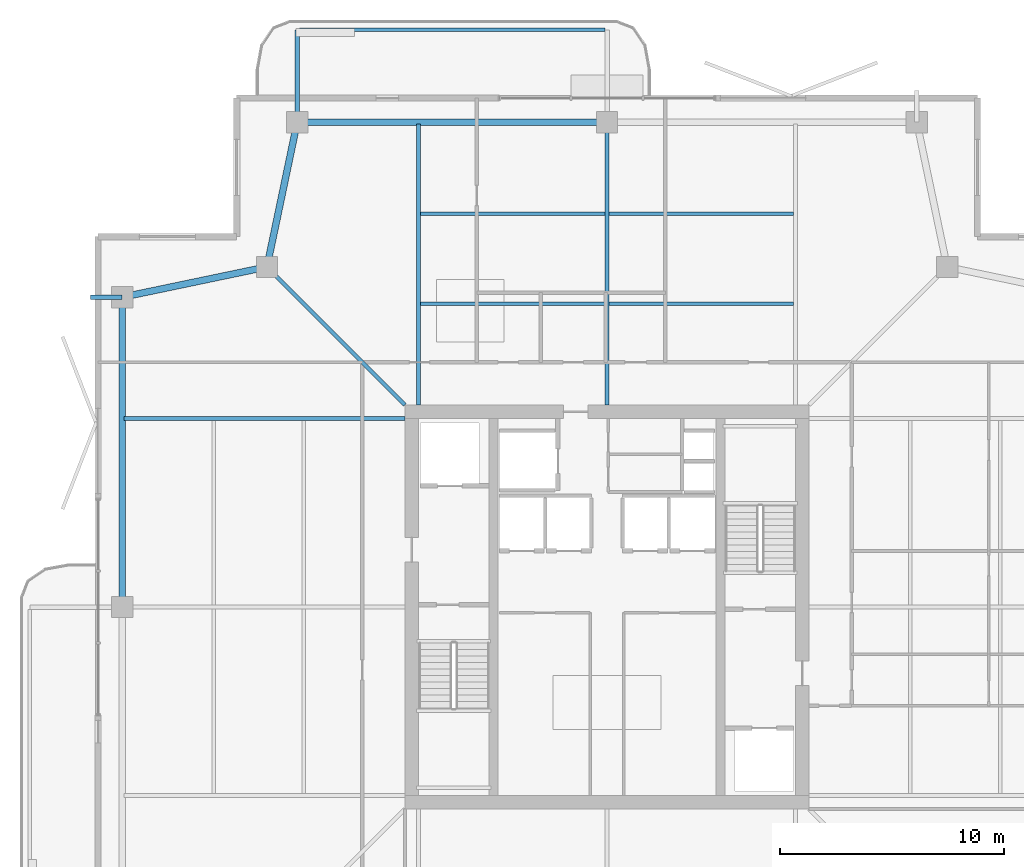
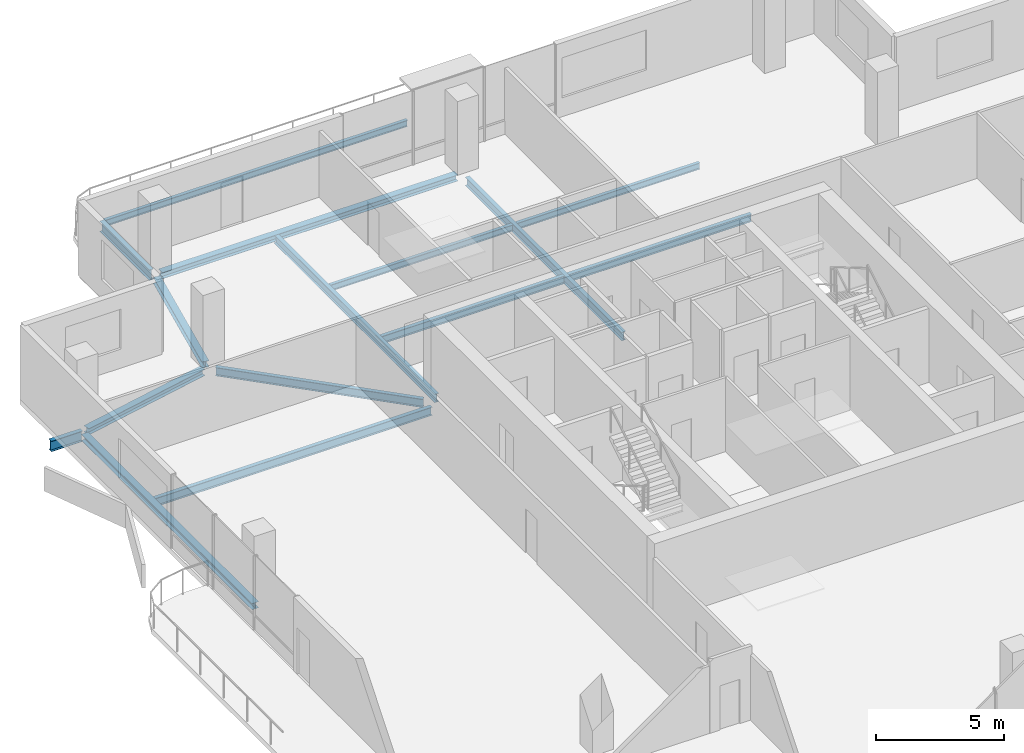
# One storey, part 9 of 18: 15 beams.
"""IFC4 building model written with IfcOpenShell, lengths in metres."""

import ifcopenshell
import ifcopenshell.guid

model = None  # the IFC model being written
_history = None  # IfcOwnerHistory: only IFC2X3 demands one
_inside = {}  # id of a spatial element -> (the spatial element, [elements in it])
_under = {}  # id of a project, library or spatial element -> (it, [spatial elements below it])
_declared = {}  # id of a project -> (the project, [libraries it declares])
_typed = {}  # id of a type object -> (the type object, [elements of that type])
_made_of = {}  # id of a material, layer set ... -> (it, [elements and type objects made of it])


def new_model(schema):
    """Start an empty IFC model of exactly this schema.

    Asked for "IFC4X3", IfcOpenShell would pick the latest addendum, in which some entities
    have other attributes; the version numbers below select the first issue.
    IFC2X3 requires an IfcOwnerHistory on every rooted entity: one is made here for all.
    """
    global model, _history
    if schema == "IFC4X3":
        model = ifcopenshell.file(schema_version=(4, 3, 0, 0))
    else:
        model = ifcopenshell.file(schema=schema)
    _inside.clear()
    _under.clear()
    _declared.clear()
    _typed.clear()
    _made_of.clear()
    _history = None
    if model.schema == "IFC2X3":
        org = make("IfcOrganization", Name="unknown")
        user = make(
            "IfcPersonAndOrganization",
            ThePerson=make("IfcPerson", FamilyName="unknown"),
            TheOrganization=org,
        )
        app = make(
            "IfcApplication",
            ApplicationDeveloper=org,
            Version="unknown",
            ApplicationFullName="unknown",
            ApplicationIdentifier="unknown",
        )
        _history = make(
            "IfcOwnerHistory",
            OwningUser=user,
            OwningApplication=app,
            ChangeAction="ADDED",
            CreationDate=0,
        )
    return model


def make(cls, **values):
    """One entity of the class cls with the attributes given. An attribute that is None is left unset."""
    return model.create_entity(
        cls, **{name: value for name, value in values.items() if value is not None}
    )


def rooted(cls, **values):
    """An entity with a GlobalId (a new one), such as an element, a storey or a relation."""
    return make(cls, GlobalId=ifcopenshell.guid.new(), OwnerHistory=_history, **values)


def si_unit(unit_type, name, prefix=None):
    """IfcSIUnit, for example si_unit("LENGTHUNIT", "METRE", prefix="MILLI")."""
    return make("IfcSIUnit", UnitType=unit_type, Prefix=prefix, Name=name)


def assignment(units):
    """IfcUnitAssignment: the units of a project."""
    return None if units is None else make("IfcUnitAssignment", Units=units)


def point(xyz):
    """IfcCartesianPoint."""
    return None if xyz is None else make("IfcCartesianPoint", Coordinates=xyz)


def direction(xyz):
    """IfcDirection."""
    return None if xyz is None else make("IfcDirection", DirectionRatios=xyz)


def frame(location, z_axis=None, x_axis=None):
    """IfcAxis2Placement3D, a coordinate frame: its origin and axes. An axis left out is left unset."""
    return make(
        "IfcAxis2Placement3D",
        Location=point(location),
        Axis=direction(z_axis),
        RefDirection=direction(x_axis),
    )


def frame_2d(location, x_axis=None):
    """IfcAxis2Placement2D, a coordinate frame in the plane: its origin and x axis."""
    return make(
        "IfcAxis2Placement2D", Location=point(location), RefDirection=direction(x_axis)
    )


def origin():
    """The frame at (0, 0, 0) with its axes left unset."""
    return frame((0.0, 0.0, 0.0))


def origin_2d():
    """The frame at (0, 0) in the plane with its x axis left unset."""
    return frame_2d((0.0, 0.0))


def place(relative_to, where):
    """IfcLocalPlacement: puts the frame where relative to a parent placement (None: the world)."""
    return make(
        "IfcLocalPlacement", PlacementRelTo=relative_to, RelativePlacement=where
    )


def context(
    kind, dimensions, precision=None, world=None, true_north=None, identifier=None
):
    """IfcGeometricRepresentationContext, for example the 3D "Model" context."""
    return make(
        "IfcGeometricRepresentationContext",
        ContextIdentifier=identifier,
        ContextType=kind,
        CoordinateSpaceDimension=dimensions,
        Precision=precision,
        WorldCoordinateSystem=world,
        TrueNorth=true_north,
    )


def subcontext(parent, identifier, kind, view, scale=None):
    """IfcGeometricRepresentationSubContext, for example "Body" below "Model"."""
    return make(
        "IfcGeometricRepresentationSubContext",
        ContextIdentifier=identifier,
        ContextType=kind,
        ParentContext=parent,
        TargetScale=scale,
        TargetView=view,
    )


def project(units=None, contexts=None):
    """IfcProject with its units and contexts."""
    return rooted(
        "IfcProject",
        Name="project",
        RepresentationContexts=contexts,
        UnitsInContext=assignment(units),
    )


def spatial(cls, under=None, at=None, **own):
    """A site, building, storey or space (cls), placed at a placement, below another one or the project."""
    s = rooted(cls, ObjectPlacement=at, **own)
    if under is not None:
        _under.setdefault(under.id(), (under, []))[1].append(s)
    return s


def profile(cls, at=None, kind="AREA", **sizes):
    """A parametric profile (cls). Its sizes go by their IFC names, for example OverallWidth=200.0."""
    return make(cls, ProfileType=kind, Position=at, **sizes)


def i_section(**sizes):
    """IfcIShapeProfileDef."""
    return profile("IfcIShapeProfileDef", **sizes)


def extrude(swept, where, along, depth):
    """IfcExtrudedAreaSolid: the profile swept, set in the frame where, extruded along a direction by depth."""
    return make(
        "IfcExtrudedAreaSolid",
        SweptArea=swept,
        Position=where,
        ExtrudedDirection=direction(along),
        Depth=depth,
    )


def shape(context_of_items, identifier, shape_type, items):
    """IfcShapeRepresentation: the items that make up one representation, for example the "Body"."""
    return make(
        "IfcShapeRepresentation",
        ContextOfItems=context_of_items,
        RepresentationIdentifier=identifier,
        RepresentationType=shape_type,
        Items=items,
    )


def material(Name=None, Category=None):
    """IfcMaterial."""
    return make("IfcMaterial", Name=Name, Category=Category)


def material_profile(
    of_material, cross_section, Name=None, Category=None, Priority=None
):
    """IfcMaterialProfile: a cross section and its material."""
    return make(
        "IfcMaterialProfile",
        Name=Name,
        Material=of_material,
        Profile=cross_section,
        Priority=Priority,
        Category=Category,
    )


def profile_set(profiles, Name=None, composite=None):
    """IfcMaterialProfileSet."""
    return make(
        "IfcMaterialProfileSet",
        Name=Name,
        MaterialProfiles=profiles,
        CompositeProfile=composite,
    )


def made_of(thing, what):
    """Note that an element or type object is made of a material, layer set ...; save() writes the relation."""
    if what is not None:
        _made_of.setdefault(what.id(), (what, []))[1].append(thing)
    return thing


def type_object(cls, material=None, **own):
    """A type object (cls), such as IfcWallType, which elements share."""
    return made_of(rooted(cls, **own), material)


def element(
    cls,
    number,
    at=None,
    inside=None,
    cuts=None,
    type_object=None,
    material=None,
    context=None,
    identifier="Body",
    shape_type=None,
    held_by="IfcProductDefinitionShape",
    body=None,
    shapes=None,
    **own,
):
    """One element of the class cls, such as IfcWall. Its Tag is "e" and its number.

    at: its placement. inside: the storey or other place that contains it. cuts: it is an
    opening in that element (IfcRelVoidsElement). A single representation is given by context,
    identifier, shape_type and body (its items); several are given by shapes. held_by: the class
    of the entity that holds the representations. save() writes the other relations.
    """
    e = rooted(cls, Tag="e%d" % number, ObjectPlacement=at, **own)
    if body is not None:
        shapes = [shape(context, identifier, shape_type, body)]
    if shapes is not None:
        e.Representation = make(held_by, Representations=shapes)
    if inside is not None:
        _inside.setdefault(inside.id(), (inside, []))[1].append(e)
    if cuts is not None:
        rooted(
            "IfcRelVoidsElement", RelatingBuildingElement=cuts, RelatedOpeningElement=e
        )
    if type_object is not None:
        _typed.setdefault(type_object.id(), (type_object, []))[1].append(e)
    return made_of(e, material)


def aggregate(whole, parts):
    """IfcRelAggregates: a whole, such as a stair, and the parts it consists of."""
    return rooted("IfcRelAggregates", RelatingObject=whole, RelatedObjects=parts)


def save(model, path):
    """Write the relations noted so far, then the file.

    IfcRelAggregates (storeys below a building ...), IfcRelContainedInSpatialStructure (elements
    in a storey), IfcRelDefinesByType, IfcRelAssociatesMaterial and IfcRelDeclares: one each for
    every whole, place, type object, material and project.
    """
    for whole, parts in _under.values():
        aggregate(whole, parts)
    for where, things in _inside.values():
        rooted(
            "IfcRelContainedInSpatialStructure",
            RelatedElements=things,
            RelatingStructure=where,
        )
    for kind, things in _typed.values():
        rooted("IfcRelDefinesByType", RelatedObjects=things, RelatingType=kind)
    for what, things in _made_of.values():
        rooted("IfcRelAssociatesMaterial", RelatedObjects=things, RelatingMaterial=what)
    for by, libraries in _declared.values():
        rooted("IfcRelDeclares", RelatingContext=by, RelatedDefinitions=libraries)
    model.write(path)


model = new_model("IFC4")

# Units and contexts
model_context = context("Model", 3, precision=1e-05, world=origin(), true_north=direction((0.0, 1.0)))
body_context = subcontext(model_context, "Body", "Model", "MODEL_VIEW")
ifc_project = project(units=[si_unit("LENGTHUNIT", "METRE"), si_unit("AREAUNIT", "SQUARE_METRE"), si_unit("VOLUMEUNIT", "CUBIC_METRE"), si_unit("PLANEANGLEUNIT", "RADIAN"), si_unit("MASSUNIT", "GRAM", prefix="KILO")], contexts=[model_context])

# Site, building, storey
site_placement = place(None, origin())
site = spatial("IfcSite", under=ifc_project, at=site_placement, CompositionType="ELEMENT")
building_placement = place(site_placement, origin())
building = spatial("IfcBuilding", under=site, at=building_placement, Name="Belovzor Exchange Tower", CompositionType="ELEMENT")
storey_placement = place(building_placement, frame((0.0, 0.0, 318.0)))
storey = spatial("IfcBuildingStorey", under=building, at=storey_placement, Name="L79", CompositionType="ELEMENT", Elevation=318.0)

# Beams
ifc_material_1 = material(Name="Steel S355", Category="steel")
ifc_material_profile_1 = material_profile(ifc_material_1, i_section(OverallWidth=0.199951171875, OverallDepth=0.5, WebThickness=0.01025390625, FlangeThickness=0.01611328125, at=origin_2d()))
ifc_profile_set_1 = profile_set([ifc_material_profile_1], Name="Steel S355")
beam_type_1 = type_object("IfcBeamType", Name="Planted Balcony Cantilever Beam IPE 500", PredefinedType="BEAM", material=ifc_profile_set_1)
beam_1_placement = place(storey_placement, frame((15.0, 50.660888671875, -0.489990234375), z_axis=(0.0, 1.0, 0.0), x_axis=(-1.0, 0.0, 0.0)))
element("IfcBeam", 1, at=beam_1_placement, inside=storey, type_object=beam_type_1, Name="BC-500 Planted Balcony Cantilever Beam IPE 500", PredefinedType="BEAM", context=body_context, shape_type="SweptSolid", body=[
    extrude(i_section(OverallWidth=0.199951171875, OverallDepth=0.5, WebThickness=0.01025390625, FlangeThickness=0.01611328125, at=origin_2d()), origin(), (0.0, 0.0, 1.0), 3.85009765625),
])
beam_2_placement = place(storey_placement, frame((7.199951171875, 42.60009765625, -0.489990234375), z_axis=(-1.0, 0.0, 0.0), x_axis=(0.0, -1.0, 0.0)))
element("IfcBeam", 2, at=beam_2_placement, inside=storey, type_object=beam_type_1, Name="BC-500 Planted Balcony Cantilever Beam IPE 500", PredefinedType="BEAM", context=body_context, shape_type="SweptSolid", body=[
    extrude(i_section(OverallWidth=0.199951171875, OverallDepth=0.5, WebThickness=0.01025390625, FlangeThickness=0.01611328125, at=origin_2d()), origin(), (0.0, 0.0, 1.0), 1.39990234375),
])
ifc_material_2 = material(Name="Steel S355", Category="steel")
ifc_material_profile_2 = material_profile(ifc_material_2, i_section(OverallWidth=0.14990234375, OverallDepth=0.300048828125, WebThickness=0.007080078125, FlangeThickness=0.0107421875, at=origin_2d()))
ifc_profile_set_2 = profile_set([ifc_material_profile_2], Name="Steel S355")
beam_type_2 = type_object("IfcBeamType", Name="Planted Balcony Fascia Edge Beam IPE 300", PredefinedType="BEAM", material=ifc_profile_set_2)
beam_3_placement = place(storey_placement, frame((28.699951171875, 54.510986328125, -0.389892578125), z_axis=(-1.0, 0.0, 0.0), x_axis=(0.0, -1.0, 0.0)))
element("IfcBeam", 3, at=beam_3_placement, inside=storey, type_object=beam_type_2, Name="BC-300 Planted Balcony Fascia Edge Beam IPE 300", PredefinedType="BEAM", context=body_context, shape_type="SweptSolid", body=[
    extrude(i_section(OverallWidth=0.14990234375, OverallDepth=0.300048828125, WebThickness=0.007080078125, FlangeThickness=0.0107421875, at=origin_2d()), origin(), (0.0, 0.0, 1.0), 13.599853515625),
])
ifc_material_3 = material(Name="Steel S355", Category="steel")
ifc_material_profile_3 = material_profile(ifc_material_3, i_section(OverallWidth=0.169921875, OverallDepth=0.360107421875, WebThickness=0.008056640625, FlangeThickness=0.0126953125, at=origin_2d()))
ifc_profile_set_3 = profile_set([ifc_material_profile_3], Name="Steel S355")
beam_type_3 = type_object("IfcBeamType", Name="Secondary Infill Floor Joist IPE 360", PredefinedType="BEAM", material=ifc_profile_set_3)
beam_4_placement = place(storey_placement, frame((20.489990234375, 42.30908203125, -0.419921875), z_axis=(1.0, 0.0, 0.0), x_axis=(0.0, 1.0, 0.0)))
element("IfcBeam", 4, at=beam_4_placement, inside=storey, type_object=beam_type_3, Name="FJ-360 Secondary Infill Floor Joist IPE 360", PredefinedType="BEAM", context=body_context, shape_type="SweptSolid", body=[
    extrude(i_section(OverallWidth=0.169921875, OverallDepth=0.360107421875, WebThickness=0.008056640625, FlangeThickness=0.0126953125, at=origin_2d()), origin(), (0.0, 0.0, 1.0), 8.219970703125),
])
beam_5_placement = place(storey_placement, frame((28.889892578125, 42.30908203125, -0.419921875), z_axis=(1.0, 0.0, 0.0), x_axis=(0.0, 1.0, 0.0)))
element("IfcBeam", 5, at=beam_5_placement, inside=storey, type_object=beam_type_3, Name="FJ-360 Secondary Infill Floor Joist IPE 360", PredefinedType="BEAM", context=body_context, shape_type="SweptSolid", body=[
    extrude(i_section(OverallWidth=0.169921875, OverallDepth=0.360107421875, WebThickness=0.008056640625, FlangeThickness=0.0126953125, at=origin_2d()), origin(), (0.0, 0.0, 1.0), 8.22021484375),
])
ifc_material_4 = material(Name="Steel S355", Category="steel")
ifc_material_profile_4 = material_profile(ifc_material_4, i_section(OverallWidth=0.14990234375, OverallDepth=0.300048828125, WebThickness=0.007080078125, FlangeThickness=0.0107421875, at=origin_2d()))
ifc_profile_set_4 = profile_set([ifc_material_profile_4], Name="Steel S355")
beam_type_4 = type_object("IfcBeamType", Name="Secondary Trim Floor Joist IPE 300", PredefinedType="BEAM", material=ifc_profile_set_4)
beam_6_placement = place(storey_placement, frame((20.489990234375, 46.31689453125, -0.389892578125), z_axis=(1.0, 0.0, 0.0), x_axis=(0.0, 1.0, 0.0)))
element("IfcBeam", 6, at=beam_6_placement, inside=storey, type_object=beam_type_4, Name="FJ-300 Secondary Trim Floor Joist IPE 300", PredefinedType="BEAM", context=body_context, shape_type="SweptSolid", body=[
    extrude(i_section(OverallWidth=0.14990234375, OverallDepth=0.300048828125, WebThickness=0.007080078125, FlangeThickness=0.0107421875, at=origin_2d()), origin(), (0.0, 0.0, 1.0), 8.219970703125),
])
beam_7_placement = place(storey_placement, frame((28.889892578125, 46.31689453125, -0.389892578125), z_axis=(1.0, 0.0, 0.0), x_axis=(0.0, 1.0, 0.0)))
element("IfcBeam", 7, at=beam_7_placement, inside=storey, type_object=beam_type_4, Name="FJ-300 Secondary Trim Floor Joist IPE 300", PredefinedType="BEAM", context=body_context, shape_type="SweptSolid", body=[
    extrude(i_section(OverallWidth=0.14990234375, OverallDepth=0.300048828125, WebThickness=0.007080078125, FlangeThickness=0.0107421875, at=origin_2d()), origin(), (0.0, 0.0, 1.0), 8.22021484375),
])
ifc_material_5 = material(Name="Steel S355", Category="steel")
ifc_material_profile_5 = material_profile(ifc_material_5, i_section(OverallWidth=0.179931640625, OverallDepth=0.39990234375, WebThickness=0.008544921875, FlangeThickness=0.013427734375, at=origin_2d()))
ifc_profile_set_5 = profile_set([ifc_material_profile_5], Name="Steel S355")
beam_type_5 = type_object("IfcBeamType", Name="Zone 5-6 Radial Composite Floor Beam IPE 400", PredefinedType="BEAM", material=ifc_profile_set_5)
beam_8_placement = place(storey_placement, frame((20.39990234375, 37.800048828125, -0.43994140625), z_axis=(0.0, 1.0, 0.0), x_axis=(-1.0, 0.0, 0.0)))
element("IfcBeam", 8, at=beam_8_placement, inside=storey, type_object=beam_type_5, Name="FB-400 Zone 5-6 Radial Composite Floor Beam IPE 400", PredefinedType="BEAM", context=body_context, shape_type="SweptSolid", body=[
    extrude(i_section(OverallWidth=0.179931640625, OverallDepth=0.39990234375, WebThickness=0.008544921875, FlangeThickness=0.013427734375, at=origin_2d()), origin(), (0.0, 0.0, 1.0), 12.52490234375),
])
beam_9_placement = place(storey_placement, frame((28.800048828125, 37.800048828125, -0.43994140625), z_axis=(0.0, 1.0, 0.0), x_axis=(-1.0, 0.0, 0.0)))
element("IfcBeam", 9, at=beam_9_placement, inside=storey, type_object=beam_type_5, Name="FB-400 Zone 5-6 Radial Composite Floor Beam IPE 400", PredefinedType="BEAM", context=body_context, shape_type="SweptSolid", body=[
    extrude(i_section(OverallWidth=0.179931640625, OverallDepth=0.39990234375, WebThickness=0.008544921875, FlangeThickness=0.013427734375, at=origin_2d()), origin(), (0.0, 0.0, 1.0), 12.181884765625),
])
beam_10_placement = place(storey_placement, frame((19.800048828125, 37.199951171875, -0.43994140625), z_axis=(-1.0, 0.0, 0.0), x_axis=(0.0, -1.0, 0.0)))
element("IfcBeam", 10, at=beam_10_placement, inside=storey, type_object=beam_type_5, Name="FB-400 Zone 5-6 Radial Composite Floor Beam IPE 400", PredefinedType="BEAM", context=body_context, shape_type="SweptSolid", body=[
    extrude(i_section(OverallWidth=0.179931640625, OverallDepth=0.39990234375, WebThickness=0.008544921875, FlangeThickness=0.013427734375, at=origin_2d()), origin(), (0.0, 0.0, 1.0), 12.525146484375),
])
beam_11_placement = place(storey_placement, frame((19.800048828125, 37.800048828125, -0.43994140625), z_axis=(-0.707062982569, 0.707150577091, 0.0), x_axis=(-0.707150577091, -0.707062982569, 0.0)))
element("IfcBeam", 11, at=beam_11_placement, inside=storey, type_object=beam_type_5, Name="FB-400 Zone 5-6 Radial Composite Floor Beam IPE 400", PredefinedType="BEAM", context=body_context, shape_type="SweptSolid", body=[
    extrude(i_section(OverallWidth=0.179931640625, OverallDepth=0.39990234375, WebThickness=0.008544921875, FlangeThickness=0.013427734375, at=origin_2d()), origin(), (0.0, 0.0, 1.0), 8.361572265625),
])
ifc_material_6 = material(Name="Steel S355", Category="steel")
ifc_material_profile_6 = material_profile(ifc_material_6, i_section(OverallWidth=0.300048828125, OverallDepth=0.300048828125, WebThickness=0.008544921875, FlangeThickness=0.013916015625, at=origin_2d()))
ifc_profile_set_6 = profile_set([ifc_material_profile_6], Name="Steel S355")
beam_type_6 = type_object("IfcBeamType", Name="Zone 6 Primary Girder HEA 300", PredefinedType="BEAM", material=ifc_profile_set_6)
beam_12_placement = place(storey_placement, frame((28.5390625, 50.39990234375, -0.389892578125), z_axis=(-1.0, 0.0, 0.0), x_axis=(0.0, -1.0, 0.0)))
element("IfcBeam", 12, at=beam_12_placement, inside=storey, type_object=beam_type_6, Name="FG-Z6 Zone 6 Primary Girder HEA 300", PredefinedType="BEAM", context=body_context, shape_type="SweptSolid", body=[
    extrude(i_section(OverallWidth=0.300048828125, OverallDepth=0.300048828125, WebThickness=0.008544921875, FlangeThickness=0.013916015625, at=origin_2d()), origin(), (0.0, 0.0, 1.0), 13.278076171875),
])
for number, where, z_axis, x_axis, name in (
    (13, (14.946044921875, 50.14404296875, -0.389892578125), (-0.204722380619, -0.978820078908, 0.0), (0.978820078908, -0.204722380619, 0.0), "FG-Z6 Zone 6 Primary Girder HEA 300"),
    (14, (13.39404296875, 43.89599609375, -0.389892578125), (-0.978820078908, -0.204722380619, 0.0), (0.204722380619, -0.978820078908, 0.0), "FG-Z6 Zone 6 Primary Girder HEA 300"),
):
    element("IfcBeam", number, at=place(storey_placement, frame(where, z_axis=z_axis, x_axis=x_axis)), inside=storey, type_object=beam_type_6, Name=name, PredefinedType="BEAM", context=body_context, shape_type="SweptSolid", body=[
        extrude(i_section(OverallWidth=0.300048828125, OverallDepth=0.300048828125, WebThickness=0.008544921875, FlangeThickness=0.013916015625, at=origin_2d()), origin(), (0.0, 0.0, 1.0), 6.06640625),
    ])
beam_13_placement = place(storey_placement, frame((7.199951171875, 42.339111328125, -0.389892578125), z_axis=(0.0, -1.0, 0.0), x_axis=(1.0, 0.0, 0.0)))
element("IfcBeam", 15, at=beam_13_placement, inside=storey, type_object=beam_type_6, Name="FG-Z6 Zone 6 Primary Girder HEA 300", PredefinedType="BEAM", context=body_context, shape_type="SweptSolid", body=[
    extrude(i_section(OverallWidth=0.300048828125, OverallDepth=0.300048828125, WebThickness=0.008544921875, FlangeThickness=0.013916015625, at=origin_2d()), origin(), (0.0, 0.0, 1.0), 13.278076171875),
])

save(model, "model.ifc")
